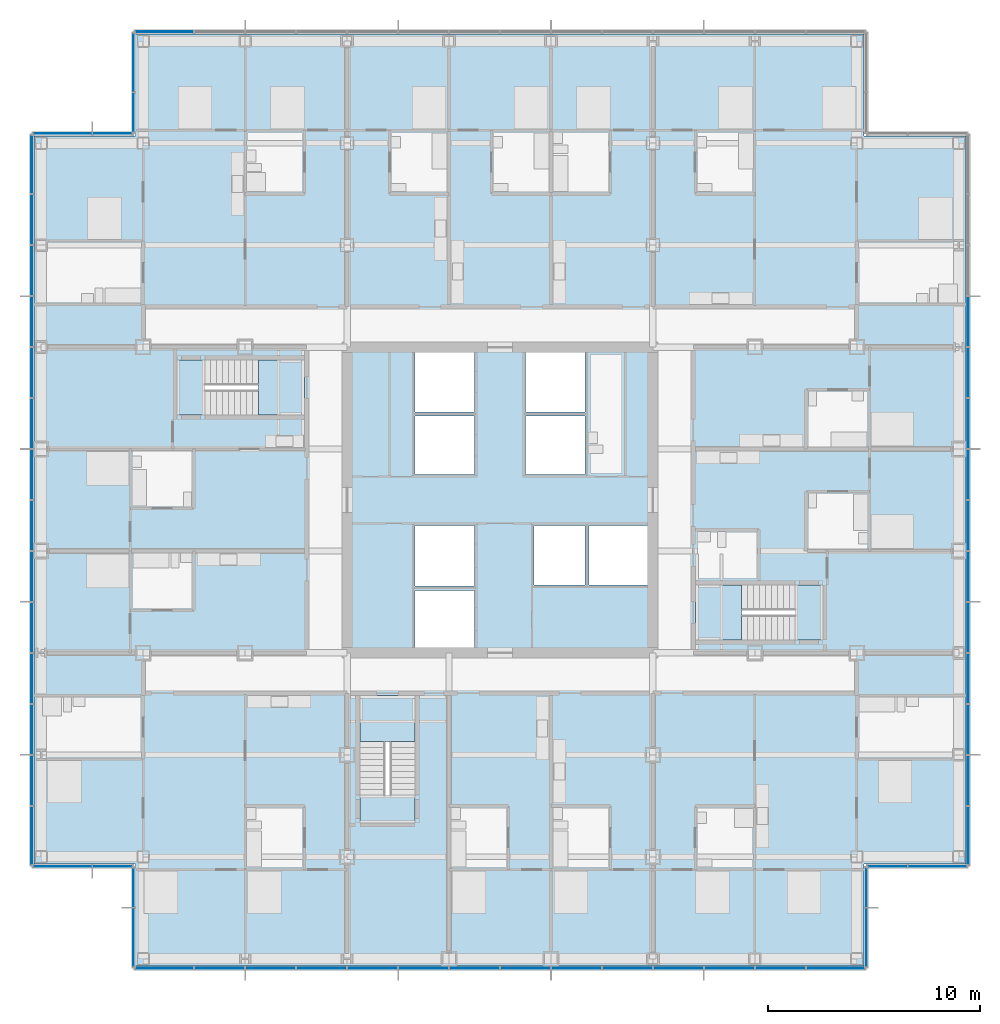
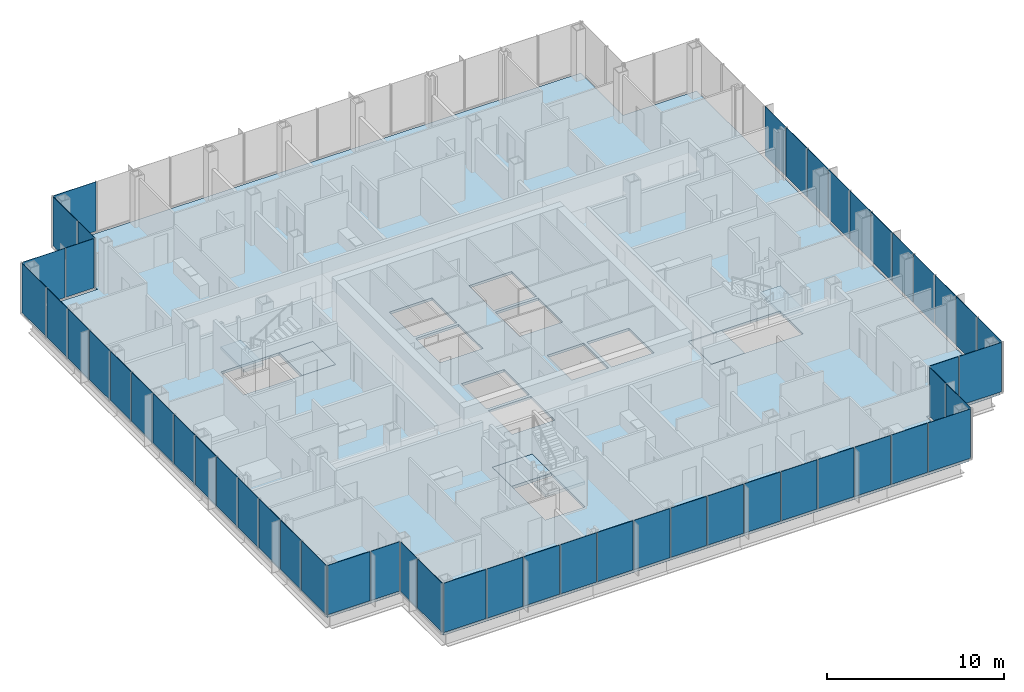
# One storey, part 12 of 21: 52 plates, 7 slabs, 13 elements without a shape of their own.
"""IFC4 building model written with IfcOpenShell, lengths in metres."""

from ifc_helpers import new_model, si_unit, direction, frame, origin, origin_2d, place, context, subcontext, project, spatial, polyline, rectangle, outline, extrude, material, layer, layer_set, type_object, element, aggregate, save


model = new_model("IFC4")

# Units and contexts
model_context = context("Model", 3, precision=1e-05, world=origin(), true_north=direction((0.0, 1.0)))
body_context = subcontext(model_context, "Body", "Model", "MODEL_VIEW")
ifc_project = project(units=[si_unit("LENGTHUNIT", "METRE"), si_unit("AREAUNIT", "SQUARE_METRE"), si_unit("VOLUMEUNIT", "CUBIC_METRE"), si_unit("PLANEANGLEUNIT", "RADIAN"), si_unit("MASSUNIT", "GRAM", prefix="KILO")], contexts=[model_context])

# Site, building, storey
site_placement = place(None, origin())
site = spatial("IfcSite", under=ifc_project, at=site_placement, CompositionType="ELEMENT")
building_placement = place(site_placement, origin())
building = spatial("IfcBuilding", under=site, at=building_placement, Name="Kvirike Care Tower", CompositionType="ELEMENT")
storey_placement = place(building_placement, frame((0.0, 0.0, 55.0)))
storey = spatial("IfcBuildingStorey", under=building, at=storey_placement, Name="L14", CompositionType="ELEMENT", Elevation=55.0)

# Slab
ifc_material_1 = material(Name="Concrete C35/45", Category="concrete")
ifc_layer_1 = layer(ifc_material_1, 0.169921875)
ifc_layer_set_1 = layer_set([ifc_layer_1], Name="FLOOR SLAB 170")
slab_type_1 = type_object("IfcSlabType", Name="FLOOR SLAB 170", PredefinedType="FLOOR", material=ifc_layer_set_1)
slab_1_placement = place(storey_placement, frame((0.0, 0.0, -0.169921875)))
element("IfcSlab", 1, at=slab_1_placement, inside=storey, type_object=slab_type_1, Name="Floor slab L14", PredefinedType="FLOOR", context=body_context, shape_type="SweptSolid", body=[
    extrude(outline(polyline([(-0.35009765625, 53.14990234375), (-0.35009765625, 18.85009765625), (4.449951171875, 18.85009765625), (4.449951171875, 14.050048828125), (38.75, 14.050048828125), (38.75, 18.85009765625), (43.550048828125, 18.85009765625), (43.550048828125, 53.14990234375), (38.75, 53.14990234375), (38.75, 57.949951171875), (4.449951171875, 57.949951171875), (4.449951171875, 53.14990234375), (-0.35009765625, 53.14990234375)]), holes=[polyline([(17.60009765625, 29.050048828125), (17.60009765625, 31.75), (20.39990234375, 31.75), (20.39990234375, 29.050048828125), (17.60009765625, 29.050048828125)]), polyline([(17.60009765625, 31.949951171875), (17.60009765625, 34.800048828125), (20.39990234375, 34.800048828125), (20.39990234375, 31.949951171875), (17.60009765625, 31.949951171875)]), polyline([(17.60009765625, 37.199951171875), (17.60009765625, 39.949951171875), (20.39990234375, 39.949951171875), (20.39990234375, 37.199951171875), (17.60009765625, 37.199951171875)]), polyline([(17.60009765625, 40.14990234375), (17.60009765625, 42.949951171875), (20.39990234375, 42.949951171875), (20.39990234375, 40.14990234375), (17.60009765625, 40.14990234375)]), polyline([(22.800048828125, 37.199951171875), (22.800048828125, 39.949951171875), (25.60009765625, 39.949951171875), (25.60009765625, 37.199951171875), (22.800048828125, 37.199951171875)]), polyline([(22.800048828125, 40.14990234375), (22.800048828125, 42.949951171875), (25.60009765625, 42.949951171875), (25.60009765625, 40.14990234375), (22.800048828125, 40.14990234375)]), polyline([(23.199951171875, 32.0), (23.199951171875, 34.800048828125), (25.60009765625, 34.800048828125), (25.60009765625, 32.0), (23.199951171875, 32.0)]), polyline([(25.800048828125, 32.0), (25.800048828125, 34.800048828125), (28.550048828125, 34.800048828125), (28.550048828125, 32.0), (25.800048828125, 32.0)]), polyline([(12.39990234375, 42.60009765625), (12.39990234375, 40.0), (6.39990234375, 40.0), (6.39990234375, 42.60009765625), (12.39990234375, 42.60009765625)]), polyline([(30.800048828125, 29.39990234375), (30.800048828125, 32.0), (36.800048828125, 32.0), (36.800048828125, 29.39990234375), (30.800048828125, 29.39990234375)]), polyline([(15.0, 26.800048828125), (17.60009765625, 26.800048828125), (17.60009765625, 20.800048828125), (15.0, 20.800048828125), (15.0, 26.800048828125)])]), origin(), (0.0, 0.0, 1.0), 0.169921875),
])

# Stair, slabs
ifc_material_2 = material(Name="Concrete C35/45", Category="concrete")
stair_type = type_object("IfcStairType", Name="STAIR 20 RISERS", PredefinedType="HALF_TURN_STAIR", material=ifc_material_2)
stair_1_placement = place(storey_placement, origin())
stair_1 = element("IfcStair", 2, at=stair_1_placement, inside=storey, type_object=stair_type, Name="Stair 1 L14", PredefinedType="HALF_TURN_STAIR")
ifc_material_3 = material(Name="Concrete C35/45", Category="concrete")
ifc_layer_2 = layer(ifc_material_3, 0.199951171875)
ifc_layer_set_2 = layer_set([ifc_layer_2], Name="STAIR LANDING 200")
slab_type_2 = type_object("IfcSlabType", Name="STAIR LANDING 200", PredefinedType="LANDING", material=ifc_layer_set_2)
slab_2_placement = place(storey_placement, frame((0.0, 0.0, -0.199951171875)))
slab_2 = element("IfcSlab", 3, at=slab_2_placement, type_object=slab_type_2, Name="Stair S1 floor landing L14", PredefinedType="LANDING", context=body_context, shape_type="SweptSolid", body=[
    extrude(outline(polyline([(10.219970703125, 42.60009765625), (10.219970703125, 40.0), (12.39990234375, 40.0), (12.39990234375, 42.60009765625), (10.219970703125, 42.60009765625)])), origin(), (0.0, 0.0, 1.0), 0.199951171875),
])
slab_3_placement = place(storey_placement, frame((0.0, 0.0, 1.550048828125)))
slab_3 = element("IfcSlab", 4, at=slab_3_placement, type_object=slab_type_2, Name="Stair S1 half landing L14-L15", PredefinedType="LANDING", context=body_context, shape_type="SweptSolid", body=[
    extrude(outline(polyline([(6.39990234375, 42.60009765625), (6.39990234375, 40.0), (7.699951171875, 40.0), (7.699951171875, 42.60009765625), (6.39990234375, 42.60009765625)])), origin(), (0.0, 0.0, 1.0), 0.199951171875),
])
aggregate(stair_1, [slab_2, slab_3])

stair_2_placement = place(storey_placement, origin())
stair_2 = element("IfcStair", 5, at=stair_2_placement, inside=storey, type_object=stair_type, Name="Stair 2 L14", PredefinedType="HALF_TURN_STAIR")
slab_4_placement = place(storey_placement, frame((0.0, 0.0, -0.199951171875)))
slab_4 = element("IfcSlab", 6, at=slab_4_placement, type_object=slab_type_2, Name="Stair S2 floor landing L14", PredefinedType="LANDING", context=body_context, shape_type="SweptSolid", body=[
    extrude(outline(polyline([(32.97998046875, 29.39990234375), (32.97998046875, 32.0), (30.800048828125, 32.0), (30.800048828125, 29.39990234375), (32.97998046875, 29.39990234375)])), origin(), (0.0, 0.0, 1.0), 0.199951171875),
])
slab_5_placement = place(storey_placement, frame((0.0, 0.0, 1.550048828125)))
slab_5 = element("IfcSlab", 7, at=slab_5_placement, type_object=slab_type_2, Name="Stair S2 half landing L14-L15", PredefinedType="LANDING", context=body_context, shape_type="SweptSolid", body=[
    extrude(outline(polyline([(36.800048828125, 29.39990234375), (36.800048828125, 32.0), (35.5, 32.0), (35.5, 29.39990234375), (36.800048828125, 29.39990234375)])), origin(), (0.0, 0.0, 1.0), 0.199951171875),
])
aggregate(stair_2, [slab_4, slab_5])

stair_3_placement = place(storey_placement, origin())
stair_3 = element("IfcStair", 8, at=stair_3_placement, inside=storey, type_object=stair_type, Name="Stair 5 L14", PredefinedType="HALF_TURN_STAIR")
slab_6_placement = place(storey_placement, frame((0.0, 0.0, -0.199951171875)))
slab_6 = element("IfcSlab", 9, at=slab_6_placement, type_object=slab_type_2, Name="Stair S5 floor landing L14", PredefinedType="LANDING", context=body_context, shape_type="SweptSolid", body=[
    extrude(outline(polyline([(15.0, 24.6201171875), (17.60009765625, 24.6201171875), (17.60009765625, 26.800048828125), (15.0, 26.800048828125), (15.0, 24.6201171875)])), origin(), (0.0, 0.0, 1.0), 0.199951171875),
])
slab_7_placement = place(storey_placement, frame((0.0, 0.0, 1.550048828125)))
slab_7 = element("IfcSlab", 10, at=slab_7_placement, type_object=slab_type_2, Name="Stair S5 half landing L14-L15", PredefinedType="LANDING", context=body_context, shape_type="SweptSolid", body=[
    extrude(outline(polyline([(15.0, 20.800048828125), (17.60009765625, 20.800048828125), (17.60009765625, 22.10009765625), (15.0, 22.10009765625), (15.0, 20.800048828125)])), origin(), (0.0, 0.0, 1.0), 0.199951171875),
])
aggregate(stair_3, [slab_6, slab_7])

# Curtain wall, plates
ifc_material_4 = material(Name="Anodised aluminium stick system", Category="aluminium")
curtain_wall_type = type_object("IfcCurtainWallType", Name="CW-A STICK CURTAIN WALL", PredefinedType="NOTDEFINED", material=ifc_material_4)
curtain_wall_1_placement = place(storey_placement, origin())
curtain_wall_1 = element("IfcCurtainWall", 11, at=curtain_wall_1_placement, inside=storey, type_object=curtain_wall_type, Name="Curtain wall L14 face 1", PredefinedType="NOTDEFINED")
ifc_material_5 = material(Name="Tinted double glazed unit", Category="glass")
ifc_layer_3 = layer(ifc_material_5, 0.031982421875)
ifc_layer_set_3 = layer_set([ifc_layer_3], Name="TINTED VISION PANEL 32")
plate_type = type_object("IfcPlateType", Name="TINTED VISION PANEL 32", PredefinedType="CURTAIN_PANEL", material=ifc_layer_set_3)
plate_1_placement = place(storey_placement, frame((-0.449951171875, 51.808837890625, 0.10009765625), z_axis=(0.0, 0.0, 1.0), x_axis=(0.0, -1.0, 0.0)))
plate_1 = element("IfcPlate", 12, at=plate_1_placement, type_object=plate_type, Name="CW-A panel L14 face 1.1", PredefinedType="CURTAIN_PANEL", context=body_context, shape_type="SweptSolid", body=[
    extrude(rectangle(XDim=2.75244140625, YDim=0.031982421875, at=origin_2d()), origin(), (0.0, 0.0, 1.0), 3.39990234375),
])
plate_2_placement = place(storey_placement, frame((-0.449951171875, 49.199951171875, 0.10009765625), z_axis=(0.0, 0.0, 1.0), x_axis=(0.0, -1.0, 0.0)))
plate_2 = element("IfcPlate", 13, at=plate_2_placement, type_object=plate_type, Name="CW-A panel L14 face 1.2", PredefinedType="CURTAIN_PANEL", context=body_context, shape_type="SweptSolid", body=[
    extrude(rectangle(XDim=2.3349609375, YDim=0.031982421875, at=origin_2d()), origin(), (0.0, 0.0, 1.0), 3.39990234375),
])
plate_3_placement = place(storey_placement, frame((-0.449951171875, 46.800048828125, 0.10009765625), z_axis=(0.0, 0.0, 1.0), x_axis=(0.0, -1.0, 0.0)))
plate_3 = element("IfcPlate", 14, at=plate_3_placement, type_object=plate_type, Name="CW-A panel L14 face 1.3", PredefinedType="CURTAIN_PANEL", context=body_context, shape_type="SweptSolid", body=[
    extrude(rectangle(XDim=2.3349609375, YDim=0.031982421875, at=origin_2d()), origin(), (0.0, 0.0, 1.0), 3.39990234375),
])
plate_4_placement = place(storey_placement, frame((-0.449951171875, 44.39990234375, 0.10009765625), z_axis=(0.0, 0.0, 1.0), x_axis=(0.0, -1.0, 0.0)))
plate_4 = element("IfcPlate", 15, at=plate_4_placement, type_object=plate_type, Name="CW-A panel L14 face 1.4", PredefinedType="CURTAIN_PANEL", context=body_context, shape_type="SweptSolid", body=[
    extrude(rectangle(XDim=2.3349609375, YDim=0.031982421875, at=origin_2d()), origin(), (0.0, 0.0, 1.0), 3.39990234375),
])
plate_5_placement = place(storey_placement, frame((-0.449951171875, 42.0, 0.10009765625), z_axis=(0.0, 0.0, 1.0), x_axis=(0.0, -1.0, 0.0)))
plate_5 = element("IfcPlate", 16, at=plate_5_placement, type_object=plate_type, Name="CW-A panel L14 face 1.5", PredefinedType="CURTAIN_PANEL", context=body_context, shape_type="SweptSolid", body=[
    extrude(rectangle(XDim=2.3349609375, YDim=0.031982421875, at=origin_2d()), origin(), (0.0, 0.0, 1.0), 3.39990234375),
])
plate_6_placement = place(storey_placement, frame((-0.449951171875, 39.60009765625, 0.10009765625), z_axis=(0.0, 0.0, 1.0), x_axis=(0.0, -1.0, 0.0)))
plate_6 = element("IfcPlate", 17, at=plate_6_placement, type_object=plate_type, Name="CW-A panel L14 face 1.6", PredefinedType="CURTAIN_PANEL", context=body_context, shape_type="SweptSolid", body=[
    extrude(rectangle(XDim=2.3349609375, YDim=0.031982421875, at=origin_2d()), origin(), (0.0, 0.0, 1.0), 3.39990234375),
])
plate_7_placement = place(storey_placement, frame((-0.449951171875, 37.199951171875, 0.10009765625), z_axis=(0.0, 0.0, 1.0), x_axis=(0.0, -1.0, 0.0)))
plate_7 = element("IfcPlate", 18, at=plate_7_placement, type_object=plate_type, Name="CW-A panel L14 face 1.7", PredefinedType="CURTAIN_PANEL", context=body_context, shape_type="SweptSolid", body=[
    extrude(rectangle(XDim=2.3349609375, YDim=0.031982421875, at=origin_2d()), origin(), (0.0, 0.0, 1.0), 3.39990234375),
])
plate_8_placement = place(storey_placement, frame((-0.449951171875, 34.800048828125, 0.10009765625), z_axis=(0.0, 0.0, 1.0), x_axis=(0.0, -1.0, 0.0)))
plate_8 = element("IfcPlate", 19, at=plate_8_placement, type_object=plate_type, Name="CW-A panel L14 face 1.8", PredefinedType="CURTAIN_PANEL", context=body_context, shape_type="SweptSolid", body=[
    extrude(rectangle(XDim=2.3349609375, YDim=0.031982421875, at=origin_2d()), origin(), (0.0, 0.0, 1.0), 3.39990234375),
])
plate_9_placement = place(storey_placement, frame((-0.449951171875, 32.39990234375, 0.10009765625), z_axis=(0.0, 0.0, 1.0), x_axis=(0.0, -1.0, 0.0)))
plate_9 = element("IfcPlate", 20, at=plate_9_placement, type_object=plate_type, Name="CW-A panel L14 face 1.9", PredefinedType="CURTAIN_PANEL", context=body_context, shape_type="SweptSolid", body=[
    extrude(rectangle(XDim=2.3349609375, YDim=0.031982421875, at=origin_2d()), origin(), (0.0, 0.0, 1.0), 3.39990234375),
])
plate_10_placement = place(storey_placement, frame((-0.449951171875, 30.0, 0.10009765625), z_axis=(0.0, 0.0, 1.0), x_axis=(0.0, -1.0, 0.0)))
plate_10 = element("IfcPlate", 21, at=plate_10_placement, type_object=plate_type, Name="CW-A panel L14 face 1.10", PredefinedType="CURTAIN_PANEL", context=body_context, shape_type="SweptSolid", body=[
    extrude(rectangle(XDim=2.3349609375, YDim=0.031982421875, at=origin_2d()), origin(), (0.0, 0.0, 1.0), 3.39990234375),
])
plate_11_placement = place(storey_placement, frame((-0.449951171875, 27.60009765625, 0.10009765625), z_axis=(0.0, 0.0, 1.0), x_axis=(0.0, -1.0, 0.0)))
plate_11 = element("IfcPlate", 22, at=plate_11_placement, type_object=plate_type, Name="CW-A panel L14 face 1.11", PredefinedType="CURTAIN_PANEL", context=body_context, shape_type="SweptSolid", body=[
    extrude(rectangle(XDim=2.3349609375, YDim=0.031982421875, at=origin_2d()), origin(), (0.0, 0.0, 1.0), 3.39990234375),
])
plate_12_placement = place(storey_placement, frame((-0.449951171875, 25.199951171875, 0.10009765625), z_axis=(0.0, 0.0, 1.0), x_axis=(0.0, -1.0, 0.0)))
plate_12 = element("IfcPlate", 23, at=plate_12_placement, type_object=plate_type, Name="CW-A panel L14 face 1.12", PredefinedType="CURTAIN_PANEL", context=body_context, shape_type="SweptSolid", body=[
    extrude(rectangle(XDim=2.3349609375, YDim=0.031982421875, at=origin_2d()), origin(), (0.0, 0.0, 1.0), 3.39990234375),
])
plate_13_placement = place(storey_placement, frame((-0.449951171875, 22.800048828125, 0.10009765625), z_axis=(0.0, 0.0, 1.0), x_axis=(0.0, -1.0, 0.0)))
plate_13 = element("IfcPlate", 24, at=plate_13_placement, type_object=plate_type, Name="CW-A panel L14 face 1.13", PredefinedType="CURTAIN_PANEL", context=body_context, shape_type="SweptSolid", body=[
    extrude(rectangle(XDim=2.3349609375, YDim=0.031982421875, at=origin_2d()), origin(), (0.0, 0.0, 1.0), 3.39990234375),
])
plate_14_placement = place(storey_placement, frame((-0.449951171875, 20.191162109375, 0.10009765625), z_axis=(0.0, 0.0, 1.0), x_axis=(0.0, -1.0, 0.0)))
plate_14 = element("IfcPlate", 25, at=plate_14_placement, type_object=plate_type, Name="CW-A panel L14 face 1.14", PredefinedType="CURTAIN_PANEL", context=body_context, shape_type="SweptSolid", body=[
    extrude(rectangle(XDim=2.75244140625, YDim=0.031982421875, at=origin_2d()), origin(), (0.0, 0.0, 1.0), 3.39990234375),
])
aggregate(curtain_wall_1, [plate_1, plate_2, plate_3, plate_4, plate_5, plate_6, plate_7, plate_8, plate_9, plate_10, plate_11, plate_12, plate_13, plate_14])

curtain_wall_2_placement = place(storey_placement, origin())
curtain_wall_2 = element("IfcCurtainWall", 26, at=curtain_wall_2_placement, inside=storey, type_object=curtain_wall_type, Name="Curtain wall L14 face 2", PredefinedType="NOTDEFINED")
plate_15_placement = place(storey_placement, frame((0.9912109375, 18.75, 0.10009765625), z_axis=(0.0, 0.0, 1.0), x_axis=(1.0, 0.0, 0.0)))
plate_15 = element("IfcPlate", 27, at=plate_15_placement, type_object=plate_type, Name="CW-A panel L14 face 2.1", PredefinedType="CURTAIN_PANEL", context=body_context, shape_type="SweptSolid", body=[
    extrude(rectangle(XDim=2.75244140625, YDim=0.031982421875, at=origin_2d()), origin(), (0.0, 0.0, 1.0), 3.39990234375),
])
plate_16_placement = place(storey_placement, frame((3.358642578125, 18.75, 0.10009765625), z_axis=(0.0, 0.0, 1.0), x_axis=(1.0, 0.0, 0.0)))
plate_16 = element("IfcPlate", 28, at=plate_16_placement, type_object=plate_type, Name="CW-A panel L14 face 2.2", PredefinedType="CURTAIN_PANEL", context=body_context, shape_type="SweptSolid", body=[
    extrude(rectangle(XDim=1.8525390625, YDim=0.031982421875, at=origin_2d()), origin(), (0.0, 0.0, 1.0), 3.39990234375),
])
aggregate(curtain_wall_2, [plate_15, plate_16])

curtain_wall_3_placement = place(storey_placement, origin())
curtain_wall_3 = element("IfcCurtainWall", 29, at=curtain_wall_3_placement, inside=storey, type_object=curtain_wall_type, Name="Curtain wall L14 face 3", PredefinedType="NOTDEFINED")
plate_17_placement = place(storey_placement, frame((4.35009765625, 17.7587890625, 0.10009765625), z_axis=(0.0, 0.0, 1.0), x_axis=(0.0, -1.0, 0.0)))
plate_17 = element("IfcPlate", 30, at=plate_17_placement, type_object=plate_type, Name="CW-A panel L14 face 3.1", PredefinedType="CURTAIN_PANEL", context=body_context, shape_type="SweptSolid", body=[
    extrude(rectangle(XDim=1.8525390625, YDim=0.031982421875, at=origin_2d()), origin(), (0.0, 0.0, 1.0), 3.39990234375),
])
plate_18_placement = place(storey_placement, frame((4.35009765625, 15.391357421875, 0.10009765625), z_axis=(0.0, 0.0, 1.0), x_axis=(0.0, -1.0, 0.0)))
plate_18 = element("IfcPlate", 31, at=plate_18_placement, type_object=plate_type, Name="CW-A panel L14 face 3.2", PredefinedType="CURTAIN_PANEL", context=body_context, shape_type="SweptSolid", body=[
    extrude(rectangle(XDim=2.75244140625, YDim=0.031982421875, at=origin_2d()), origin(), (0.0, 0.0, 1.0), 3.39990234375),
])
aggregate(curtain_wall_3, [plate_17, plate_18])

curtain_wall_4_placement = place(storey_placement, origin())
curtain_wall_4 = element("IfcCurtainWall", 32, at=curtain_wall_4_placement, inside=storey, type_object=curtain_wall_type, Name="Curtain wall L14 face 4", PredefinedType="NOTDEFINED")
plate_19_placement = place(storey_placement, frame((5.791259765625, 13.949951171875, 0.10009765625), z_axis=(0.0, 0.0, 1.0), x_axis=(1.0, 0.0, 0.0)))
plate_19 = element("IfcPlate", 33, at=plate_19_placement, type_object=plate_type, Name="CW-A panel L14 face 4.1", PredefinedType="CURTAIN_PANEL", context=body_context, shape_type="SweptSolid", body=[
    extrude(rectangle(XDim=2.75244140625, YDim=0.031982421875, at=origin_2d()), origin(), (0.0, 0.0, 1.0), 3.39990234375),
])
plate_20_placement = place(storey_placement, frame((8.39990234375, 13.949951171875, 0.10009765625), z_axis=(0.0, 0.0, 1.0), x_axis=(1.0, 0.0, 0.0)))
plate_20 = element("IfcPlate", 34, at=plate_20_placement, type_object=plate_type, Name="CW-A panel L14 face 4.2", PredefinedType="CURTAIN_PANEL", context=body_context, shape_type="SweptSolid", body=[
    extrude(rectangle(XDim=2.3349609375, YDim=0.031982421875, at=origin_2d()), origin(), (0.0, 0.0, 1.0), 3.39990234375),
])
plate_21_placement = place(storey_placement, frame((10.800048828125, 13.949951171875, 0.10009765625), z_axis=(0.0, 0.0, 1.0), x_axis=(1.0, 0.0, 0.0)))
plate_21 = element("IfcPlate", 35, at=plate_21_placement, type_object=plate_type, Name="CW-A panel L14 face 4.3", PredefinedType="CURTAIN_PANEL", context=body_context, shape_type="SweptSolid", body=[
    extrude(rectangle(XDim=2.3349609375, YDim=0.031982421875, at=origin_2d()), origin(), (0.0, 0.0, 1.0), 3.39990234375),
])
plate_22_placement = place(storey_placement, frame((13.199951171875, 13.949951171875, 0.10009765625), z_axis=(0.0, 0.0, 1.0), x_axis=(1.0, 0.0, 0.0)))
plate_22 = element("IfcPlate", 36, at=plate_22_placement, type_object=plate_type, Name="CW-A panel L14 face 4.4", PredefinedType="CURTAIN_PANEL", context=body_context, shape_type="SweptSolid", body=[
    extrude(rectangle(XDim=2.3349609375, YDim=0.031982421875, at=origin_2d()), origin(), (0.0, 0.0, 1.0), 3.39990234375),
])
plate_23_placement = place(storey_placement, frame((15.60009765625, 13.949951171875, 0.10009765625), z_axis=(0.0, 0.0, 1.0), x_axis=(1.0, 0.0, 0.0)))
plate_23 = element("IfcPlate", 37, at=plate_23_placement, type_object=plate_type, Name="CW-A panel L14 face 4.5", PredefinedType="CURTAIN_PANEL", context=body_context, shape_type="SweptSolid", body=[
    extrude(rectangle(XDim=2.3349609375, YDim=0.031982421875, at=origin_2d()), origin(), (0.0, 0.0, 1.0), 3.39990234375),
])
plate_24_placement = place(storey_placement, frame((18.0, 13.949951171875, 0.10009765625), z_axis=(0.0, 0.0, 1.0), x_axis=(1.0, 0.0, 0.0)))
plate_24 = element("IfcPlate", 38, at=plate_24_placement, type_object=plate_type, Name="CW-A panel L14 face 4.6", PredefinedType="CURTAIN_PANEL", context=body_context, shape_type="SweptSolid", body=[
    extrude(rectangle(XDim=2.3349609375, YDim=0.031982421875, at=origin_2d()), origin(), (0.0, 0.0, 1.0), 3.39990234375),
])
plate_25_placement = place(storey_placement, frame((20.39990234375, 13.949951171875, 0.10009765625), z_axis=(0.0, 0.0, 1.0), x_axis=(1.0, 0.0, 0.0)))
plate_25 = element("IfcPlate", 39, at=plate_25_placement, type_object=plate_type, Name="CW-A panel L14 face 4.7", PredefinedType="CURTAIN_PANEL", context=body_context, shape_type="SweptSolid", body=[
    extrude(rectangle(XDim=2.3349609375, YDim=0.031982421875, at=origin_2d()), origin(), (0.0, 0.0, 1.0), 3.39990234375),
])
plate_26_placement = place(storey_placement, frame((22.800048828125, 13.949951171875, 0.10009765625), z_axis=(0.0, 0.0, 1.0), x_axis=(1.0, 0.0, 0.0)))
plate_26 = element("IfcPlate", 40, at=plate_26_placement, type_object=plate_type, Name="CW-A panel L14 face 4.8", PredefinedType="CURTAIN_PANEL", context=body_context, shape_type="SweptSolid", body=[
    extrude(rectangle(XDim=2.3349609375, YDim=0.031982421875, at=origin_2d()), origin(), (0.0, 0.0, 1.0), 3.39990234375),
])
plate_27_placement = place(storey_placement, frame((25.199951171875, 13.949951171875, 0.10009765625), z_axis=(0.0, 0.0, 1.0), x_axis=(1.0, 0.0, 0.0)))
plate_27 = element("IfcPlate", 41, at=plate_27_placement, type_object=plate_type, Name="CW-A panel L14 face 4.9", PredefinedType="CURTAIN_PANEL", context=body_context, shape_type="SweptSolid", body=[
    extrude(rectangle(XDim=2.3349609375, YDim=0.031982421875, at=origin_2d()), origin(), (0.0, 0.0, 1.0), 3.39990234375),
])
plate_28_placement = place(storey_placement, frame((27.60009765625, 13.949951171875, 0.10009765625), z_axis=(0.0, 0.0, 1.0), x_axis=(1.0, 0.0, 0.0)))
plate_28 = element("IfcPlate", 42, at=plate_28_placement, type_object=plate_type, Name="CW-A panel L14 face 4.10", PredefinedType="CURTAIN_PANEL", context=body_context, shape_type="SweptSolid", body=[
    extrude(rectangle(XDim=2.3349609375, YDim=0.031982421875, at=origin_2d()), origin(), (0.0, 0.0, 1.0), 3.39990234375),
])
plate_29_placement = place(storey_placement, frame((30.0, 13.949951171875, 0.10009765625), z_axis=(0.0, 0.0, 1.0), x_axis=(1.0, 0.0, 0.0)))
plate_29 = element("IfcPlate", 43, at=plate_29_placement, type_object=plate_type, Name="CW-A panel L14 face 4.11", PredefinedType="CURTAIN_PANEL", context=body_context, shape_type="SweptSolid", body=[
    extrude(rectangle(XDim=2.3349609375, YDim=0.031982421875, at=origin_2d()), origin(), (0.0, 0.0, 1.0), 3.39990234375),
])
plate_30_placement = place(storey_placement, frame((32.39990234375, 13.949951171875, 0.10009765625), z_axis=(0.0, 0.0, 1.0), x_axis=(1.0, 0.0, 0.0)))
plate_30 = element("IfcPlate", 44, at=plate_30_placement, type_object=plate_type, Name="CW-A panel L14 face 4.12", PredefinedType="CURTAIN_PANEL", context=body_context, shape_type="SweptSolid", body=[
    extrude(rectangle(XDim=2.3349609375, YDim=0.031982421875, at=origin_2d()), origin(), (0.0, 0.0, 1.0), 3.39990234375),
])
plate_31_placement = place(storey_placement, frame((34.800048828125, 13.949951171875, 0.10009765625), z_axis=(0.0, 0.0, 1.0), x_axis=(1.0, 0.0, 0.0)))
plate_31 = element("IfcPlate", 45, at=plate_31_placement, type_object=plate_type, Name="CW-A panel L14 face 4.13", PredefinedType="CURTAIN_PANEL", context=body_context, shape_type="SweptSolid", body=[
    extrude(rectangle(XDim=2.3349609375, YDim=0.031982421875, at=origin_2d()), origin(), (0.0, 0.0, 1.0), 3.39990234375),
])
plate_32_placement = place(storey_placement, frame((37.40869140625, 13.949951171875, 0.10009765625), z_axis=(0.0, 0.0, 1.0), x_axis=(1.0, 0.0, 0.0)))
plate_32 = element("IfcPlate", 46, at=plate_32_placement, type_object=plate_type, Name="CW-A panel L14 face 4.14", PredefinedType="CURTAIN_PANEL", context=body_context, shape_type="SweptSolid", body=[
    extrude(rectangle(XDim=2.75244140625, YDim=0.031982421875, at=origin_2d()), origin(), (0.0, 0.0, 1.0), 3.39990234375),
])
aggregate(curtain_wall_4, [plate_19, plate_20, plate_21, plate_22, plate_23, plate_24, plate_25, plate_26, plate_27, plate_28, plate_29, plate_30, plate_31, plate_32])

curtain_wall_5_placement = place(storey_placement, origin())
curtain_wall_5 = element("IfcCurtainWall", 47, at=curtain_wall_5_placement, inside=storey, type_object=curtain_wall_type, Name="Curtain wall L14 face 5", PredefinedType="NOTDEFINED")
plate_33_placement = place(storey_placement, frame((38.85009765625, 15.391357421875, 0.10009765625), z_axis=(0.0, 0.0, 1.0), x_axis=(0.0, 1.0, 0.0)))
plate_33 = element("IfcPlate", 48, at=plate_33_placement, type_object=plate_type, Name="CW-A panel L14 face 5.1", PredefinedType="CURTAIN_PANEL", context=body_context, shape_type="SweptSolid", body=[
    extrude(rectangle(XDim=2.75244140625, YDim=0.031982421875, at=origin_2d()), origin(), (0.0, 0.0, 1.0), 3.39990234375),
])
plate_34_placement = place(storey_placement, frame((38.85009765625, 17.7587890625, 0.10009765625), z_axis=(0.0, 0.0, 1.0), x_axis=(0.0, 1.0, 0.0)))
plate_34 = element("IfcPlate", 49, at=plate_34_placement, type_object=plate_type, Name="CW-A panel L14 face 5.2", PredefinedType="CURTAIN_PANEL", context=body_context, shape_type="SweptSolid", body=[
    extrude(rectangle(XDim=1.8525390625, YDim=0.031982421875, at=origin_2d()), origin(), (0.0, 0.0, 1.0), 3.39990234375),
])
aggregate(curtain_wall_5, [plate_33, plate_34])

curtain_wall_6_placement = place(storey_placement, origin())
curtain_wall_6 = element("IfcCurtainWall", 50, at=curtain_wall_6_placement, inside=storey, type_object=curtain_wall_type, Name="Curtain wall L14 face 6", PredefinedType="NOTDEFINED")
plate_35_placement = place(storey_placement, frame((39.84130859375, 18.75, 0.10009765625), z_axis=(0.0, 0.0, 1.0), x_axis=(1.0, 0.0, 0.0)))
plate_35 = element("IfcPlate", 51, at=plate_35_placement, type_object=plate_type, Name="CW-A panel L14 face 6.1", PredefinedType="CURTAIN_PANEL", context=body_context, shape_type="SweptSolid", body=[
    extrude(rectangle(XDim=1.8525390625, YDim=0.031982421875, at=origin_2d()), origin(), (0.0, 0.0, 1.0), 3.39990234375),
])
plate_36_placement = place(storey_placement, frame((42.208740234375, 18.75, 0.10009765625), z_axis=(0.0, 0.0, 1.0), x_axis=(1.0, 0.0, 0.0)))
plate_36 = element("IfcPlate", 52, at=plate_36_placement, type_object=plate_type, Name="CW-A panel L14 face 6.2", PredefinedType="CURTAIN_PANEL", context=body_context, shape_type="SweptSolid", body=[
    extrude(rectangle(XDim=2.75244140625, YDim=0.031982421875, at=origin_2d()), origin(), (0.0, 0.0, 1.0), 3.39990234375),
])
aggregate(curtain_wall_6, [plate_35, plate_36])

curtain_wall_7_placement = place(storey_placement, origin())
curtain_wall_7 = element("IfcCurtainWall", 53, at=curtain_wall_7_placement, inside=storey, type_object=curtain_wall_type, Name="Curtain wall L14 face 7", PredefinedType="NOTDEFINED")
plate_37_placement = place(storey_placement, frame((43.64990234375, 20.191162109375, 0.10009765625), z_axis=(0.0, 0.0, 1.0), x_axis=(0.0, 1.0, 0.0)))
plate_37 = element("IfcPlate", 54, at=plate_37_placement, type_object=plate_type, Name="CW-A panel L14 face 7.1", PredefinedType="CURTAIN_PANEL", context=body_context, shape_type="SweptSolid", body=[
    extrude(rectangle(XDim=2.75244140625, YDim=0.031982421875, at=origin_2d()), origin(), (0.0, 0.0, 1.0), 3.39990234375),
])
plate_38_placement = place(storey_placement, frame((43.64990234375, 22.800048828125, 0.10009765625), z_axis=(0.0, 0.0, 1.0), x_axis=(0.0, 1.0, 0.0)))
plate_38 = element("IfcPlate", 55, at=plate_38_placement, type_object=plate_type, Name="CW-A panel L14 face 7.2", PredefinedType="CURTAIN_PANEL", context=body_context, shape_type="SweptSolid", body=[
    extrude(rectangle(XDim=2.3349609375, YDim=0.031982421875, at=origin_2d()), origin(), (0.0, 0.0, 1.0), 3.39990234375),
])
plate_39_placement = place(storey_placement, frame((43.64990234375, 25.199951171875, 0.10009765625), z_axis=(0.0, 0.0, 1.0), x_axis=(0.0, 1.0, 0.0)))
plate_39 = element("IfcPlate", 56, at=plate_39_placement, type_object=plate_type, Name="CW-A panel L14 face 7.3", PredefinedType="CURTAIN_PANEL", context=body_context, shape_type="SweptSolid", body=[
    extrude(rectangle(XDim=2.3349609375, YDim=0.031982421875, at=origin_2d()), origin(), (0.0, 0.0, 1.0), 3.39990234375),
])
plate_40_placement = place(storey_placement, frame((43.64990234375, 27.60009765625, 0.10009765625), z_axis=(0.0, 0.0, 1.0), x_axis=(0.0, 1.0, 0.0)))
plate_40 = element("IfcPlate", 57, at=plate_40_placement, type_object=plate_type, Name="CW-A panel L14 face 7.4", PredefinedType="CURTAIN_PANEL", context=body_context, shape_type="SweptSolid", body=[
    extrude(rectangle(XDim=2.3349609375, YDim=0.031982421875, at=origin_2d()), origin(), (0.0, 0.0, 1.0), 3.39990234375),
])
plate_41_placement = place(storey_placement, frame((43.64990234375, 30.0, 0.10009765625), z_axis=(0.0, 0.0, 1.0), x_axis=(0.0, 1.0, 0.0)))
plate_41 = element("IfcPlate", 58, at=plate_41_placement, type_object=plate_type, Name="CW-A panel L14 face 7.5", PredefinedType="CURTAIN_PANEL", context=body_context, shape_type="SweptSolid", body=[
    extrude(rectangle(XDim=2.3349609375, YDim=0.031982421875, at=origin_2d()), origin(), (0.0, 0.0, 1.0), 3.39990234375),
])
plate_42_placement = place(storey_placement, frame((43.64990234375, 32.39990234375, 0.10009765625), z_axis=(0.0, 0.0, 1.0), x_axis=(0.0, 1.0, 0.0)))
plate_42 = element("IfcPlate", 59, at=plate_42_placement, type_object=plate_type, Name="CW-A panel L14 face 7.6", PredefinedType="CURTAIN_PANEL", context=body_context, shape_type="SweptSolid", body=[
    extrude(rectangle(XDim=2.3349609375, YDim=0.031982421875, at=origin_2d()), origin(), (0.0, 0.0, 1.0), 3.39990234375),
])
plate_43_placement = place(storey_placement, frame((43.64990234375, 34.800048828125, 0.10009765625), z_axis=(0.0, 0.0, 1.0), x_axis=(0.0, 1.0, 0.0)))
plate_43 = element("IfcPlate", 60, at=plate_43_placement, type_object=plate_type, Name="CW-A panel L14 face 7.7", PredefinedType="CURTAIN_PANEL", context=body_context, shape_type="SweptSolid", body=[
    extrude(rectangle(XDim=2.3349609375, YDim=0.031982421875, at=origin_2d()), origin(), (0.0, 0.0, 1.0), 3.39990234375),
])
plate_44_placement = place(storey_placement, frame((43.64990234375, 37.199951171875, 0.10009765625), z_axis=(0.0, 0.0, 1.0), x_axis=(0.0, 1.0, 0.0)))
plate_44 = element("IfcPlate", 61, at=plate_44_placement, type_object=plate_type, Name="CW-A panel L14 face 7.8", PredefinedType="CURTAIN_PANEL", context=body_context, shape_type="SweptSolid", body=[
    extrude(rectangle(XDim=2.3349609375, YDim=0.031982421875, at=origin_2d()), origin(), (0.0, 0.0, 1.0), 3.39990234375),
])
plate_45_placement = place(storey_placement, frame((43.64990234375, 39.60009765625, 0.10009765625), z_axis=(0.0, 0.0, 1.0), x_axis=(0.0, 1.0, 0.0)))
plate_45 = element("IfcPlate", 62, at=plate_45_placement, type_object=plate_type, Name="CW-A panel L14 face 7.9", PredefinedType="CURTAIN_PANEL", context=body_context, shape_type="SweptSolid", body=[
    extrude(rectangle(XDim=2.3349609375, YDim=0.031982421875, at=origin_2d()), origin(), (0.0, 0.0, 1.0), 3.39990234375),
])
plate_46_placement = place(storey_placement, frame((43.64990234375, 42.0, 0.10009765625), z_axis=(0.0, 0.0, 1.0), x_axis=(0.0, 1.0, 0.0)))
plate_46 = element("IfcPlate", 63, at=plate_46_placement, type_object=plate_type, Name="CW-A panel L14 face 7.10", PredefinedType="CURTAIN_PANEL", context=body_context, shape_type="SweptSolid", body=[
    extrude(rectangle(XDim=2.3349609375, YDim=0.031982421875, at=origin_2d()), origin(), (0.0, 0.0, 1.0), 3.39990234375),
])
plate_47_placement = place(storey_placement, frame((43.64990234375, 44.39990234375, 0.10009765625), z_axis=(0.0, 0.0, 1.0), x_axis=(0.0, 1.0, 0.0)))
plate_47 = element("IfcPlate", 64, at=plate_47_placement, type_object=plate_type, Name="CW-A panel L14 face 7.11", PredefinedType="CURTAIN_PANEL", context=body_context, shape_type="SweptSolid", body=[
    extrude(rectangle(XDim=2.3349609375, YDim=0.031982421875, at=origin_2d()), origin(), (0.0, 0.0, 1.0), 3.39990234375),
])
aggregate(curtain_wall_7, [plate_37, plate_38, plate_39, plate_40, plate_41, plate_42, plate_43, plate_44, plate_45, plate_46, plate_47])

# Curtain wall, plate
curtain_wall_8_placement = place(storey_placement, origin())
curtain_wall_8 = element("IfcCurtainWall", 65, at=curtain_wall_8_placement, inside=storey, type_object=curtain_wall_type, Name="Curtain wall L14 face 10", PredefinedType="NOTDEFINED")
plate_48_placement = place(storey_placement, frame((5.791259765625, 58.050048828125, 0.10009765625), z_axis=(0.0, 0.0, 1.0), x_axis=(-1.0, 0.0, 0.0)))
plate_48 = element("IfcPlate", 66, at=plate_48_placement, type_object=plate_type, Name="CW-A panel L14 face 10.14", PredefinedType="CURTAIN_PANEL", context=body_context, shape_type="SweptSolid", body=[
    extrude(rectangle(XDim=2.75244140625, YDim=0.031982421875, at=origin_2d()), origin(), (0.0, 0.0, 1.0), 3.39990234375),
])
aggregate(curtain_wall_8, [plate_48])

# Curtain wall, plates
curtain_wall_9_placement = place(storey_placement, origin())
curtain_wall_9 = element("IfcCurtainWall", 67, at=curtain_wall_9_placement, inside=storey, type_object=curtain_wall_type, Name="Curtain wall L14 face 11", PredefinedType="NOTDEFINED")
plate_49_placement = place(storey_placement, frame((4.35009765625, 56.608642578125, 0.10009765625), z_axis=(0.0, 0.0, 1.0), x_axis=(0.0, -1.0, 0.0)))
plate_49 = element("IfcPlate", 68, at=plate_49_placement, type_object=plate_type, Name="CW-A panel L14 face 11.1", PredefinedType="CURTAIN_PANEL", context=body_context, shape_type="SweptSolid", body=[
    extrude(rectangle(XDim=2.75244140625, YDim=0.031982421875, at=origin_2d()), origin(), (0.0, 0.0, 1.0), 3.39990234375),
])
plate_50_placement = place(storey_placement, frame((4.35009765625, 54.2412109375, 0.10009765625), z_axis=(0.0, 0.0, 1.0), x_axis=(0.0, -1.0, 0.0)))
plate_50 = element("IfcPlate", 69, at=plate_50_placement, type_object=plate_type, Name="CW-A panel L14 face 11.2", PredefinedType="CURTAIN_PANEL", context=body_context, shape_type="SweptSolid", body=[
    extrude(rectangle(XDim=1.8525390625, YDim=0.031982421875, at=origin_2d()), origin(), (0.0, 0.0, 1.0), 3.39990234375),
])
aggregate(curtain_wall_9, [plate_49, plate_50])

curtain_wall_10_placement = place(storey_placement, origin())
curtain_wall_10 = element("IfcCurtainWall", 70, at=curtain_wall_10_placement, inside=storey, type_object=curtain_wall_type, Name="Curtain wall L14 face 12", PredefinedType="NOTDEFINED")
plate_51_placement = place(storey_placement, frame((3.358642578125, 53.25, 0.10009765625), z_axis=(0.0, 0.0, 1.0), x_axis=(-1.0, 0.0, 0.0)))
plate_51 = element("IfcPlate", 71, at=plate_51_placement, type_object=plate_type, Name="CW-A panel L14 face 12.1", PredefinedType="CURTAIN_PANEL", context=body_context, shape_type="SweptSolid", body=[
    extrude(rectangle(XDim=1.8525390625, YDim=0.031982421875, at=origin_2d()), origin(), (0.0, 0.0, 1.0), 3.39990234375),
])
plate_52_placement = place(storey_placement, frame((0.9912109375, 53.25, 0.10009765625), z_axis=(0.0, 0.0, 1.0), x_axis=(-1.0, 0.0, 0.0)))
plate_52 = element("IfcPlate", 72, at=plate_52_placement, type_object=plate_type, Name="CW-A panel L14 face 12.2", PredefinedType="CURTAIN_PANEL", context=body_context, shape_type="SweptSolid", body=[
    extrude(rectangle(XDim=2.75244140625, YDim=0.031982421875, at=origin_2d()), origin(), (0.0, 0.0, 1.0), 3.39990234375),
])
aggregate(curtain_wall_10, [plate_51, plate_52])

save(model, "model.ifc")
